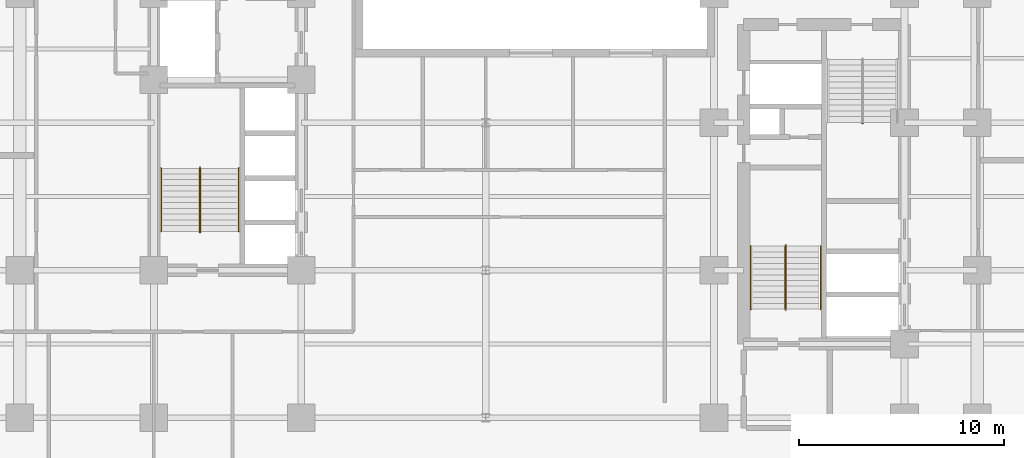
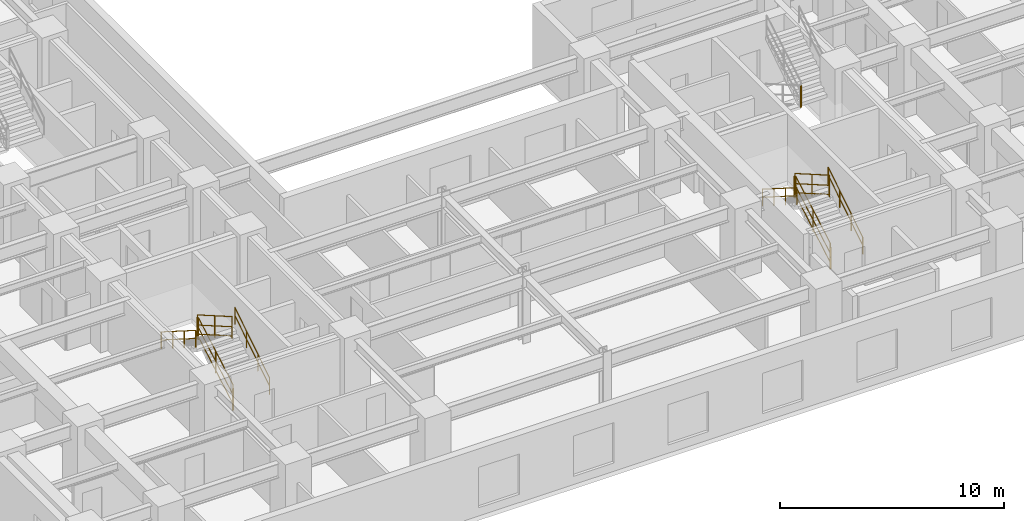
# One storey, part 7 of 9: 13 railings.
"""IFC4 building model written with IfcOpenShell, lengths in metres."""

from ifc_helpers import new_model, entity, si_unit, converted_unit, direction, frame, origin_with_axes, origin_2d_with_axis, place, context, subcontext, project, spatial, rectangle, circle, extrude, material, type_object, element, save


model = new_model("IFC4")

# Units and contexts
model_context = context("Model", 3, precision=1e-05, world=origin_with_axes(), true_north=direction((0.0, 1.0)))
body_context = subcontext(model_context, "Body", "Model", "MODEL_VIEW")
ifc_project = project(units=[si_unit("LENGTHUNIT", "METRE"), si_unit("AREAUNIT", "SQUARE_METRE"), si_unit("VOLUMEUNIT", "CUBIC_METRE"), converted_unit("PLANEANGLEUNIT", "DEGREE", entity("IfcPlaneAngleMeasure", 0.017453292519943295), si_unit("PLANEANGLEUNIT", "RADIAN"), dimensions=[0, 0, 0, 0, 0, 0, 0]), si_unit("MASSUNIT", "GRAM", prefix="KILO"), si_unit("THERMODYNAMICTEMPERATUREUNIT", "KELVIN")], contexts=[model_context])

# Site, building, storey
site_placement = place(None, origin_with_axes())
site = spatial("IfcSite", under=ifc_project, at=site_placement, CompositionType="ELEMENT")
building_placement = place(site_placement, origin_with_axes())
building = spatial("IfcBuilding", under=site, at=building_placement, Name="Varnlund Millrace Tower", CompositionType="ELEMENT")
storey_placement = place(building_placement, frame((0.0, 0.0, 71.7), z_axis=(0.0, 0.0, 1.0), x_axis=(1.0, 0.0, 0.0)))
storey = spatial("IfcBuildingStorey", under=building, at=storey_placement, Name="L17", CompositionType="ELEMENT", Elevation=71.7)

# Railings
ifc_material_1 = material(Name="Painted steel stair well balustrade guard", Category="steel")
railing_type_1 = type_object("IfcRailingType", Name="Type-StairGuard-1150", PredefinedType="GUARDRAIL", material=ifc_material_1)
railing_1_placement = place(storey_placement, frame((0.0, 0.0, -71.7), z_axis=(0.0, 0.0, 1.0), x_axis=(1.0, 0.0, 0.0)))
element("IfcRailing", 1, at=railing_1_placement, inside=storey, type_object=railing_type_1, Name="Type-StairGuard-1150", PredefinedType="GUARDRAIL", context=body_context, shape_type="SweptSolid", body=[
    extrude(circle(Radius=0.024, at=origin_2d_with_axis()), frame((13.675, 12.7, 73.027273), z_axis=(0.0, 0.866696, 0.498836), x_axis=(-1.0, 0.0, 0.0)), (0.0, 0.0, 1.0), 3.553725),
    extrude(circle(Radius=0.024, at=origin_2d_with_axis()), frame((13.675, 12.7, 71.977273), z_axis=(0.0, 0.866696, 0.498836), x_axis=(-1.0, 0.0, 0.0)), (0.0, 0.0, 1.0), 3.553725),
    extrude(circle(Radius=0.024, at=origin_2d_with_axis()), frame((13.675, 12.7, 72.475273), z_axis=(0.0, 0.866696, 0.498836), x_axis=(-1.0, 0.0, 0.0)), (0.0, 0.0, 1.0), 3.553725),
    extrude(rectangle(XDim=0.04, YDim=0.04, at=origin_2d_with_axis()), frame((13.675, 12.7, 71.837273), z_axis=(0.0, 0.0, 1.0), x_axis=(1.0, 0.0, 0.0)), (0.0, 0.0, 1.0), 1.19),
    extrude(rectangle(XDim=0.04, YDim=0.04, at=origin_2d_with_axis()), frame((13.675, 14.24, 72.723636), z_axis=(0.0, 0.0, 1.0), x_axis=(1.0, 0.0, 0.0)), (0.0, 0.0, 1.0), 1.19),
    extrude(rectangle(XDim=0.04, YDim=0.04, at=origin_2d_with_axis()), frame((13.675, 15.78, 73.61), z_axis=(0.0, 0.0, 1.0), x_axis=(1.0, 0.0, 0.0)), (0.0, 0.0, 1.0), 1.19),
])
railing_2_placement = place(storey_placement, frame((0.0, 0.0, -71.7), z_axis=(0.0, 0.0, 1.0), x_axis=(1.0, 0.0, 0.0)))
element("IfcRailing", 2, at=railing_2_placement, inside=storey, type_object=railing_type_1, Name="Type-StairGuard-1150", PredefinedType="GUARDRAIL", context=body_context, shape_type="SweptSolid", body=[
    extrude(circle(Radius=0.024, at=origin_2d_with_axis()), frame((13.625, 15.83, 74.8), z_axis=(1.0, 0.0, 0.0), x_axis=(0.0, 1.0, 0.0)), (0.0, 0.0, 1.0), 0.05),
    extrude(circle(Radius=0.024, at=origin_2d_with_axis()), frame((13.625, 15.83, 73.75), z_axis=(1.0, 0.0, 0.0), x_axis=(0.0, 1.0, 0.0)), (0.0, 0.0, 1.0), 0.05),
    extrude(circle(Radius=0.024, at=origin_2d_with_axis()), frame((13.625, 15.83, 74.248), z_axis=(1.0, 0.0, 0.0), x_axis=(0.0, 1.0, 0.0)), (0.0, 0.0, 1.0), 0.05),
    extrude(rectangle(XDim=0.04, YDim=0.04, at=origin_2d_with_axis()), frame((13.625, 15.83, 73.61), z_axis=(0.0, 0.0, 1.0), x_axis=(1.0, 0.0, 0.0)), (0.0, 0.0, 1.0), 1.19),
    extrude(rectangle(XDim=0.04, YDim=0.04, at=origin_2d_with_axis()), frame((13.675, 15.83, 73.61), z_axis=(0.0, 0.0, 1.0), x_axis=(1.0, 0.0, 0.0)), (0.0, 0.0, 1.0), 1.19),
])
railing_3_placement = place(storey_placement, frame((0.0, 0.0, -71.7), z_axis=(0.0, 0.0, 1.0), x_axis=(1.0, 0.0, 0.0)))
element("IfcRailing", 3, at=railing_3_placement, inside=storey, type_object=railing_type_1, Name="Type-StairGuard-1150", PredefinedType="GUARDRAIL", context=body_context, shape_type="SweptSolid", body=[
    extrude(circle(Radius=0.024, at=origin_2d_with_axis()), frame((13.625, 15.78, 74.977273), z_axis=(0.0, -0.866696, 0.498836), x_axis=(1.0, 0.0, 0.0)), (0.0, 0.0, 1.0), 3.553725),
    extrude(circle(Radius=0.024, at=origin_2d_with_axis()), frame((13.625, 15.78, 73.927273), z_axis=(0.0, -0.866696, 0.498836), x_axis=(1.0, 0.0, 0.0)), (0.0, 0.0, 1.0), 3.553725),
    extrude(circle(Radius=0.024, at=origin_2d_with_axis()), frame((13.625, 15.78, 74.425273), z_axis=(0.0, -0.866696, 0.498836), x_axis=(1.0, 0.0, 0.0)), (0.0, 0.0, 1.0), 3.553725),
    extrude(rectangle(XDim=0.04, YDim=0.04, at=origin_2d_with_axis()), frame((13.625, 15.78, 73.787273), z_axis=(0.0, 0.0, 1.0), x_axis=(1.0, 0.0, 0.0)), (0.0, 0.0, 1.0), 1.19),
    extrude(rectangle(XDim=0.04, YDim=0.04, at=origin_2d_with_axis()), frame((13.625, 14.24, 74.673636), z_axis=(0.0, 0.0, 1.0), x_axis=(1.0, 0.0, 0.0)), (0.0, 0.0, 1.0), 1.19),
    extrude(rectangle(XDim=0.04, YDim=0.04, at=origin_2d_with_axis()), frame((13.625, 12.7, 75.56), z_axis=(0.0, 0.0, 1.0), x_axis=(1.0, 0.0, 0.0)), (0.0, 0.0, 1.0), 1.19),
])
railing_4_placement = place(storey_placement, frame((0.0, 0.0, -71.7), z_axis=(0.0, 0.0, 1.0), x_axis=(1.0, 0.0, 0.0)))
element("IfcRailing", 4, at=railing_4_placement, inside=storey, type_object=railing_type_1, Name="Type-StairGuard-1150", PredefinedType="GUARDRAIL", context=body_context, shape_type="SweptSolid", body=[
    extrude(circle(Radius=0.024, at=origin_2d_with_axis()), frame((13.625, 12.65, 72.85), z_axis=(1.0, 0.0, 0.0), x_axis=(0.0, 1.0, 0.0)), (0.0, 0.0, 1.0), 0.05),
    extrude(circle(Radius=0.024, at=origin_2d_with_axis()), frame((13.625, 12.65, 71.8), z_axis=(1.0, 0.0, 0.0), x_axis=(0.0, 1.0, 0.0)), (0.0, 0.0, 1.0), 0.05),
    extrude(circle(Radius=0.024, at=origin_2d_with_axis()), frame((13.625, 12.65, 72.298), z_axis=(1.0, 0.0, 0.0), x_axis=(0.0, 1.0, 0.0)), (0.0, 0.0, 1.0), 0.05),
    extrude(rectangle(XDim=0.04, YDim=0.04, at=origin_2d_with_axis()), frame((13.625, 12.65, 71.66), z_axis=(0.0, 0.0, 1.0), x_axis=(1.0, 0.0, 0.0)), (0.0, 0.0, 1.0), 1.19),
    extrude(rectangle(XDim=0.04, YDim=0.04, at=origin_2d_with_axis()), frame((13.675, 12.65, 71.66), z_axis=(0.0, 0.0, 1.0), x_axis=(1.0, 0.0, 0.0)), (0.0, 0.0, 1.0), 1.19),
])
railing_5_placement = place(storey_placement, frame((0.0, 0.0, -71.7), z_axis=(0.0, 0.0, 1.0), x_axis=(1.0, 0.0, 0.0)))
element("IfcRailing", 5, at=railing_5_placement, inside=storey, type_object=railing_type_1, Name="Type-StairGuard-1150", PredefinedType="GUARDRAIL", context=body_context, shape_type="SweptSolid", body=[
    extrude(circle(Radius=0.024, at=origin_2d_with_axis()), frame((42.275, 8.9, 73.027273), z_axis=(0.0, 0.866696, 0.498836), x_axis=(-1.0, 0.0, 0.0)), (0.0, 0.0, 1.0), 3.553725),
    extrude(circle(Radius=0.024, at=origin_2d_with_axis()), frame((42.275, 8.9, 71.977273), z_axis=(0.0, 0.866696, 0.498836), x_axis=(-1.0, 0.0, 0.0)), (0.0, 0.0, 1.0), 3.553725),
    extrude(circle(Radius=0.024, at=origin_2d_with_axis()), frame((42.275, 8.9, 72.475273), z_axis=(0.0, 0.866696, 0.498836), x_axis=(-1.0, 0.0, 0.0)), (0.0, 0.0, 1.0), 3.553725),
    extrude(rectangle(XDim=0.04, YDim=0.04, at=origin_2d_with_axis()), frame((42.275, 8.9, 71.837273), z_axis=(0.0, 0.0, 1.0), x_axis=(1.0, 0.0, 0.0)), (0.0, 0.0, 1.0), 1.19),
    extrude(rectangle(XDim=0.04, YDim=0.04, at=origin_2d_with_axis()), frame((42.275, 10.44, 72.723636), z_axis=(0.0, 0.0, 1.0), x_axis=(1.0, 0.0, 0.0)), (0.0, 0.0, 1.0), 1.19),
    extrude(rectangle(XDim=0.04, YDim=0.04, at=origin_2d_with_axis()), frame((42.275, 11.98, 73.61), z_axis=(0.0, 0.0, 1.0), x_axis=(1.0, 0.0, 0.0)), (0.0, 0.0, 1.0), 1.19),
])
railing_6_placement = place(storey_placement, frame((0.0, 0.0, -71.7), z_axis=(0.0, 0.0, 1.0), x_axis=(1.0, 0.0, 0.0)))
element("IfcRailing", 6, at=railing_6_placement, inside=storey, type_object=railing_type_1, Name="Type-StairGuard-1150", PredefinedType="GUARDRAIL", context=body_context, shape_type="SweptSolid", body=[
    extrude(circle(Radius=0.024, at=origin_2d_with_axis()), frame((42.225, 12.03, 74.8), z_axis=(1.0, 0.0, 0.0), x_axis=(0.0, 1.0, 0.0)), (0.0, 0.0, 1.0), 0.05),
    extrude(circle(Radius=0.024, at=origin_2d_with_axis()), frame((42.225, 12.03, 73.75), z_axis=(1.0, 0.0, 0.0), x_axis=(0.0, 1.0, 0.0)), (0.0, 0.0, 1.0), 0.05),
    extrude(circle(Radius=0.024, at=origin_2d_with_axis()), frame((42.225, 12.03, 74.248), z_axis=(1.0, 0.0, 0.0), x_axis=(0.0, 1.0, 0.0)), (0.0, 0.0, 1.0), 0.05),
    extrude(rectangle(XDim=0.04, YDim=0.04, at=origin_2d_with_axis()), frame((42.225, 12.03, 73.61), z_axis=(0.0, 0.0, 1.0), x_axis=(1.0, 0.0, 0.0)), (0.0, 0.0, 1.0), 1.19),
    extrude(rectangle(XDim=0.04, YDim=0.04, at=origin_2d_with_axis()), frame((42.275, 12.03, 73.61), z_axis=(0.0, 0.0, 1.0), x_axis=(1.0, 0.0, 0.0)), (0.0, 0.0, 1.0), 1.19),
])
railing_7_placement = place(storey_placement, frame((0.0, 0.0, -71.7), z_axis=(0.0, 0.0, 1.0), x_axis=(1.0, 0.0, 0.0)))
element("IfcRailing", 7, at=railing_7_placement, inside=storey, type_object=railing_type_1, Name="Type-StairGuard-1150", PredefinedType="GUARDRAIL", context=body_context, shape_type="SweptSolid", body=[
    extrude(circle(Radius=0.024, at=origin_2d_with_axis()), frame((42.225, 11.98, 74.977273), z_axis=(0.0, -0.866696, 0.498836), x_axis=(1.0, 0.0, 0.0)), (0.0, 0.0, 1.0), 3.553725),
    extrude(circle(Radius=0.024, at=origin_2d_with_axis()), frame((42.225, 11.98, 73.927273), z_axis=(0.0, -0.866696, 0.498836), x_axis=(1.0, 0.0, 0.0)), (0.0, 0.0, 1.0), 3.553725),
    extrude(circle(Radius=0.024, at=origin_2d_with_axis()), frame((42.225, 11.98, 74.425273), z_axis=(0.0, -0.866696, 0.498836), x_axis=(1.0, 0.0, 0.0)), (0.0, 0.0, 1.0), 3.553725),
    extrude(rectangle(XDim=0.04, YDim=0.04, at=origin_2d_with_axis()), frame((42.225, 11.98, 73.787273), z_axis=(0.0, 0.0, 1.0), x_axis=(1.0, 0.0, 0.0)), (0.0, 0.0, 1.0), 1.19),
    extrude(rectangle(XDim=0.04, YDim=0.04, at=origin_2d_with_axis()), frame((42.225, 10.44, 74.673636), z_axis=(0.0, 0.0, 1.0), x_axis=(1.0, 0.0, 0.0)), (0.0, 0.0, 1.0), 1.19),
    extrude(rectangle(XDim=0.04, YDim=0.04, at=origin_2d_with_axis()), frame((42.225, 8.9, 75.56), z_axis=(0.0, 0.0, 1.0), x_axis=(1.0, 0.0, 0.0)), (0.0, 0.0, 1.0), 1.19),
])
railing_8_placement = place(storey_placement, frame((0.0, 0.0, -71.7), z_axis=(0.0, 0.0, 1.0), x_axis=(1.0, 0.0, 0.0)))
element("IfcRailing", 8, at=railing_8_placement, inside=storey, type_object=railing_type_1, Name="Type-StairGuard-1150", PredefinedType="GUARDRAIL", context=body_context, shape_type="SweptSolid", body=[
    extrude(circle(Radius=0.024, at=origin_2d_with_axis()), frame((42.225, 8.85, 72.85), z_axis=(1.0, 0.0, 0.0), x_axis=(0.0, 1.0, 0.0)), (0.0, 0.0, 1.0), 0.05),
    extrude(circle(Radius=0.024, at=origin_2d_with_axis()), frame((42.225, 8.85, 71.8), z_axis=(1.0, 0.0, 0.0), x_axis=(0.0, 1.0, 0.0)), (0.0, 0.0, 1.0), 0.05),
    extrude(circle(Radius=0.024, at=origin_2d_with_axis()), frame((42.225, 8.85, 72.298), z_axis=(1.0, 0.0, 0.0), x_axis=(0.0, 1.0, 0.0)), (0.0, 0.0, 1.0), 0.05),
    extrude(rectangle(XDim=0.04, YDim=0.04, at=origin_2d_with_axis()), frame((42.225, 8.85, 71.66), z_axis=(0.0, 0.0, 1.0), x_axis=(1.0, 0.0, 0.0)), (0.0, 0.0, 1.0), 1.19),
    extrude(rectangle(XDim=0.04, YDim=0.04, at=origin_2d_with_axis()), frame((42.275, 8.85, 71.66), z_axis=(0.0, 0.0, 1.0), x_axis=(1.0, 0.0, 0.0)), (0.0, 0.0, 1.0), 1.19),
])
railing_9_placement = place(storey_placement, frame((0.0, 0.0, -71.7), z_axis=(0.0, 0.0, 1.0), x_axis=(1.0, 0.0, 0.0)))
element("IfcRailing", 9, at=railing_9_placement, inside=storey, type_object=railing_type_1, Name="Type-StairGuard-1150", PredefinedType="GUARDRAIL", context=body_context, shape_type="SweptSolid", body=[
    extrude(circle(Radius=0.024, at=origin_2d_with_axis()), frame((46.025, 17.97, 74.8), z_axis=(-1.0, 0.0, 0.0), x_axis=(0.0, -1.0, 0.0)), (0.0, 0.0, 1.0), 0.05),
    extrude(circle(Radius=0.024, at=origin_2d_with_axis()), frame((46.025, 17.97, 73.75), z_axis=(-1.0, 0.0, 0.0), x_axis=(0.0, -1.0, 0.0)), (0.0, 0.0, 1.0), 0.05),
    extrude(circle(Radius=0.024, at=origin_2d_with_axis()), frame((46.025, 17.97, 74.248), z_axis=(-1.0, 0.0, 0.0), x_axis=(0.0, -1.0, 0.0)), (0.0, 0.0, 1.0), 0.05),
    extrude(rectangle(XDim=0.04, YDim=0.04, at=origin_2d_with_axis()), frame((46.025, 17.97, 73.61), z_axis=(0.0, 0.0, 1.0), x_axis=(1.0, 0.0, 0.0)), (0.0, 0.0, 1.0), 1.19),
    extrude(rectangle(XDim=0.04, YDim=0.04, at=origin_2d_with_axis()), frame((45.975, 17.97, 73.61), z_axis=(0.0, 0.0, 1.0), x_axis=(1.0, 0.0, 0.0)), (0.0, 0.0, 1.0), 1.19),
])
ifc_material_2 = material(Name="Brushed architectural bronze stair handrail", Category="aluminium")
railing_type_2 = type_object("IfcRailingType", Name="Type-StairHandrail-900", PredefinedType="HANDRAIL", material=ifc_material_2)
railing_10_placement = place(storey_placement, frame((0.0, 0.0, -71.7), z_axis=(0.0, 0.0, 1.0), x_axis=(1.0, 0.0, 0.0)))
element("IfcRailing", 10, at=railing_10_placement, inside=storey, type_object=railing_type_2, Name="Type-StairHandrail-900", PredefinedType="HANDRAIL", context=body_context, shape_type="SweptSolid", body=[
    extrude(circle(Radius=0.024, at=origin_2d_with_axis()), frame((15.55, 12.7, 72.756995), z_axis=(0.0, 0.844902, 0.534922), x_axis=(-1.0, 0.0, 0.0)), (0.0, 0.0, 1.0), 3.645394),
    extrude(circle(Radius=0.024, at=origin_2d_with_axis()), frame((15.55, 12.7, 72.317134), z_axis=(0.0, 0.844902, 0.534922), x_axis=(-1.0, 0.0, 0.0)), (0.0, 0.0, 1.0), 3.645394),
    extrude(rectangle(XDim=0.04, YDim=0.04, at=origin_2d_with_axis()), frame((15.55, 12.7, 71.837273), z_axis=(0.0, 0.0, 1.0), x_axis=(1.0, 0.0, 0.0)), (0.0, 0.0, 1.0), 0.919722),
    extrude(rectangle(XDim=0.04, YDim=0.04, at=origin_2d_with_axis()), frame((15.55, 13.726667, 72.487273), z_axis=(0.0, 0.0, 1.0), x_axis=(1.0, 0.0, 0.0)), (0.0, 0.0, 1.0), 0.919722),
    extrude(rectangle(XDim=0.04, YDim=0.04, at=origin_2d_with_axis()), frame((15.55, 14.753333, 73.137273), z_axis=(0.0, 0.0, 1.0), x_axis=(1.0, 0.0, 0.0)), (0.0, 0.0, 1.0), 0.919722),
    extrude(rectangle(XDim=0.04, YDim=0.04, at=origin_2d_with_axis()), frame((15.55, 15.78, 73.787273), z_axis=(0.0, 0.0, 1.0), x_axis=(1.0, 0.0, 0.0)), (0.0, 0.0, 1.0), 0.919722),
])
railing_11_placement = place(storey_placement, frame((0.0, 0.0, -71.7), z_axis=(0.0, 0.0, 1.0), x_axis=(1.0, 0.0, 0.0)))
element("IfcRailing", 11, at=railing_11_placement, inside=storey, type_object=railing_type_2, Name="Type-StairHandrail-900", PredefinedType="HANDRAIL", context=body_context, shape_type="SweptSolid", body=[
    extrude(circle(Radius=0.024, at=origin_2d_with_axis()), frame((11.75, 15.78, 74.706995), z_axis=(0.0, -0.844902, 0.534922), x_axis=(1.0, 0.0, 0.0)), (0.0, 0.0, 1.0), 3.645394),
    extrude(circle(Radius=0.024, at=origin_2d_with_axis()), frame((11.75, 15.78, 74.267134), z_axis=(0.0, -0.844902, 0.534922), x_axis=(1.0, 0.0, 0.0)), (0.0, 0.0, 1.0), 3.645394),
    extrude(rectangle(XDim=0.04, YDim=0.04, at=origin_2d_with_axis()), frame((11.75, 15.78, 73.787273), z_axis=(0.0, 0.0, 1.0), x_axis=(1.0, 0.0, 0.0)), (0.0, 0.0, 1.0), 0.919722),
    extrude(rectangle(XDim=0.04, YDim=0.04, at=origin_2d_with_axis()), frame((11.75, 14.753333, 74.437273), z_axis=(0.0, 0.0, 1.0), x_axis=(1.0, 0.0, 0.0)), (0.0, 0.0, 1.0), 0.919722),
    extrude(rectangle(XDim=0.04, YDim=0.04, at=origin_2d_with_axis()), frame((11.75, 13.726667, 75.087273), z_axis=(0.0, 0.0, 1.0), x_axis=(1.0, 0.0, 0.0)), (0.0, 0.0, 1.0), 0.919722),
    extrude(rectangle(XDim=0.04, YDim=0.04, at=origin_2d_with_axis()), frame((11.75, 12.7, 75.737273), z_axis=(0.0, 0.0, 1.0), x_axis=(1.0, 0.0, 0.0)), (0.0, 0.0, 1.0), 0.919722),
])
railing_12_placement = place(storey_placement, frame((0.0, 0.0, -71.7), z_axis=(0.0, 0.0, 1.0), x_axis=(1.0, 0.0, 0.0)))
element("IfcRailing", 12, at=railing_12_placement, inside=storey, type_object=railing_type_2, Name="Type-StairHandrail-900", PredefinedType="HANDRAIL", context=body_context, shape_type="SweptSolid", body=[
    extrude(circle(Radius=0.024, at=origin_2d_with_axis()), frame((43.95, 8.9, 72.756995), z_axis=(0.0, 0.844902, 0.534922), x_axis=(-1.0, 0.0, 0.0)), (0.0, 0.0, 1.0), 3.645394),
    extrude(circle(Radius=0.024, at=origin_2d_with_axis()), frame((43.95, 8.9, 72.317134), z_axis=(0.0, 0.844902, 0.534922), x_axis=(-1.0, 0.0, 0.0)), (0.0, 0.0, 1.0), 3.645394),
    extrude(rectangle(XDim=0.04, YDim=0.04, at=origin_2d_with_axis()), frame((43.95, 8.9, 71.837273), z_axis=(0.0, 0.0, 1.0), x_axis=(1.0, 0.0, 0.0)), (0.0, 0.0, 1.0), 0.919722),
    extrude(rectangle(XDim=0.04, YDim=0.04, at=origin_2d_with_axis()), frame((43.95, 9.926667, 72.487273), z_axis=(0.0, 0.0, 1.0), x_axis=(1.0, 0.0, 0.0)), (0.0, 0.0, 1.0), 0.919722),
    extrude(rectangle(XDim=0.04, YDim=0.04, at=origin_2d_with_axis()), frame((43.95, 10.953333, 73.137273), z_axis=(0.0, 0.0, 1.0), x_axis=(1.0, 0.0, 0.0)), (0.0, 0.0, 1.0), 0.919722),
    extrude(rectangle(XDim=0.04, YDim=0.04, at=origin_2d_with_axis()), frame((43.95, 11.98, 73.787273), z_axis=(0.0, 0.0, 1.0), x_axis=(1.0, 0.0, 0.0)), (0.0, 0.0, 1.0), 0.919722),
])
railing_13_placement = place(storey_placement, frame((0.0, 0.0, -71.7), z_axis=(0.0, 0.0, 1.0), x_axis=(1.0, 0.0, 0.0)))
element("IfcRailing", 13, at=railing_13_placement, inside=storey, type_object=railing_type_2, Name="Type-StairHandrail-900", PredefinedType="HANDRAIL", context=body_context, shape_type="SweptSolid", body=[
    extrude(circle(Radius=0.024, at=origin_2d_with_axis()), frame((40.55, 11.98, 74.706995), z_axis=(0.0, -0.844902, 0.534922), x_axis=(1.0, 0.0, 0.0)), (0.0, 0.0, 1.0), 3.645394),
    extrude(circle(Radius=0.024, at=origin_2d_with_axis()), frame((40.55, 11.98, 74.267134), z_axis=(0.0, -0.844902, 0.534922), x_axis=(1.0, 0.0, 0.0)), (0.0, 0.0, 1.0), 3.645394),
    extrude(rectangle(XDim=0.04, YDim=0.04, at=origin_2d_with_axis()), frame((40.55, 11.98, 73.787273), z_axis=(0.0, 0.0, 1.0), x_axis=(1.0, 0.0, 0.0)), (0.0, 0.0, 1.0), 0.919722),
    extrude(rectangle(XDim=0.04, YDim=0.04, at=origin_2d_with_axis()), frame((40.55, 10.953333, 74.437273), z_axis=(0.0, 0.0, 1.0), x_axis=(1.0, 0.0, 0.0)), (0.0, 0.0, 1.0), 0.919722),
    extrude(rectangle(XDim=0.04, YDim=0.04, at=origin_2d_with_axis()), frame((40.55, 9.926667, 75.087273), z_axis=(0.0, 0.0, 1.0), x_axis=(1.0, 0.0, 0.0)), (0.0, 0.0, 1.0), 0.919722),
    extrude(rectangle(XDim=0.04, YDim=0.04, at=origin_2d_with_axis()), frame((40.55, 8.9, 75.737273), z_axis=(0.0, 0.0, 1.0), x_axis=(1.0, 0.0, 0.0)), (0.0, 0.0, 1.0), 0.919722),
])

save(model, "model.ifc")
